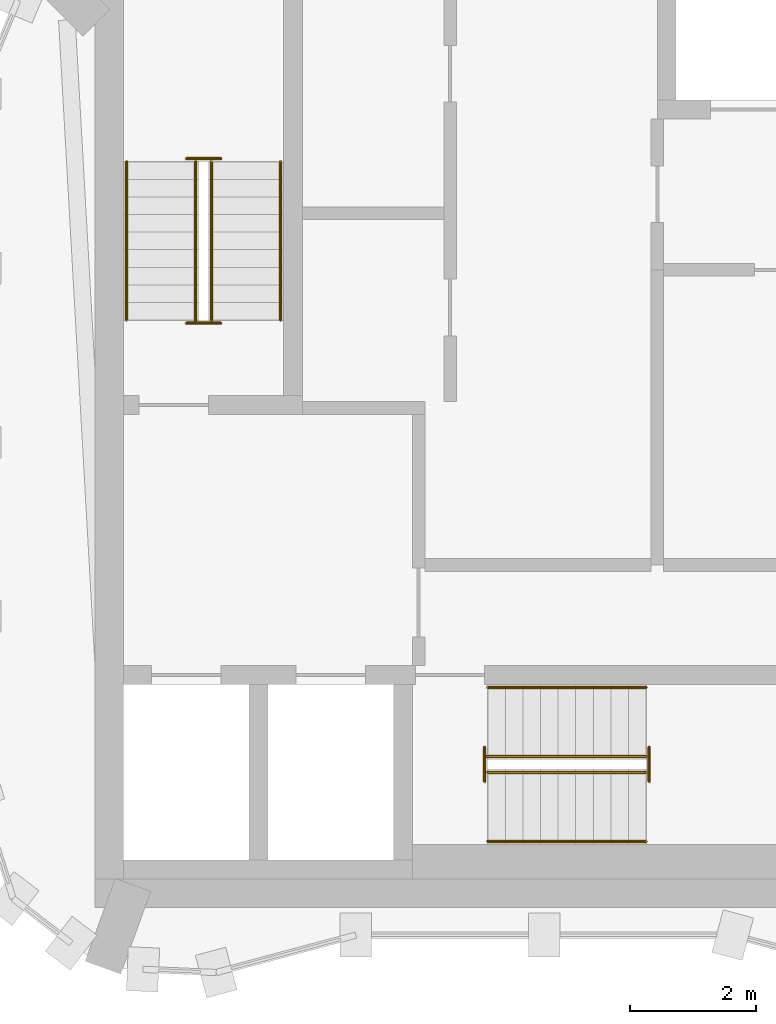
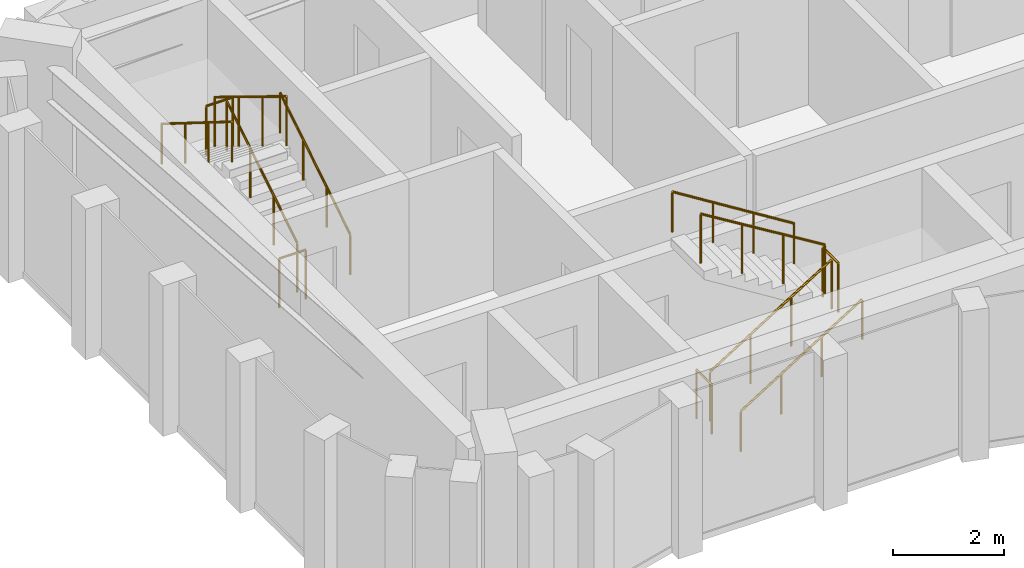
# One storey, part 6 of 6: 12 railings.
"""IFC4 building model written with IfcOpenShell, lengths in metres."""

from ifc_helpers import new_model, si_unit, direction, frame, origin, origin_2d, place, context, subcontext, project, spatial, circle, extrude, material, type_object, element, save


model = new_model("IFC4")

# Units and contexts
model_context = context("Model", 3, precision=1e-05, world=origin(), true_north=direction((0.0, 1.0)))
body_context = subcontext(model_context, "Body", "Model", "MODEL_VIEW")
ifc_project = project(units=[si_unit("LENGTHUNIT", "METRE"), si_unit("AREAUNIT", "SQUARE_METRE"), si_unit("VOLUMEUNIT", "CUBIC_METRE"), si_unit("PLANEANGLEUNIT", "RADIAN"), si_unit("MASSUNIT", "GRAM", prefix="KILO")], contexts=[model_context])

# Site, building, storey
site_placement = place(None, origin())
site = spatial("IfcSite", under=ifc_project, at=site_placement, CompositionType="ELEMENT")
building_placement = place(site_placement, origin())
building = spatial("IfcBuilding", under=site, at=building_placement, Name="Plateau Cross Towers", CompositionType="ELEMENT")
storey_placement = place(building_placement, frame((0.0, 0.0, 291.39990234375)))
storey = spatial("IfcBuildingStorey", under=building, at=storey_placement, Name="L77 Crown 1", CompositionType="ELEMENT", Elevation=291.39990234375)

# Railings
ifc_material_1 = material(Name="Stainless steel and toughened glass", Category="steel")
railing_type_1 = type_object("IfcRailingType", Name="RL-GUARD-1100", PredefinedType="GUARDRAIL", material=ifc_material_1)
railing_1_placement = place(storey_placement, frame((3.699951171875, 11.39990234375, 0.175048828125)))
element("IfcRailing", 1, at=railing_1_placement, inside=storey, type_object=railing_type_1, Name="L77 Crown 1 ST-1 stair guard 1", PredefinedType="GUARDRAIL", context=body_context, shape_type="SweptSolid", body=[
    extrude(circle(Radius=0.02392578125, at=origin_2d()), frame((0.0, 0.0, 1.076171875), z_axis=(0.0, 0.848007534815, 0.529984170421), x_axis=(-1.0, 0.0, 0.0)), (0.0, 0.0, 1.0), 2.9716796875),
    extrude(circle(Radius=0.02099609375, at=origin_2d()), origin(), (0.0, 0.0, 1.0), 1.052001953125),
    extrude(circle(Radius=0.02099609375, at=origin_2d()), frame((0.0, 0.840087890625, 0.52490234375)), (0.0, 0.0, 1.0), 1.052001953125),
    extrude(circle(Radius=0.02099609375, at=origin_2d()), frame((0.0, 1.679931640625, 1.050048828125)), (0.0, 0.0, 1.0), 1.052001953125),
    extrude(circle(Radius=0.02099609375, at=origin_2d()), frame((0.0, 2.52001953125, 1.574951171875)), (0.0, 0.0, 1.0), 1.052001953125),
])
railing_2_placement = place(storey_placement, frame((3.85009765625, 13.969970703125, 1.75)))
element("IfcRailing", 2, at=railing_2_placement, inside=storey, type_object=railing_type_1, Name="L77 Crown 1 ST-1 stair guard 2", PredefinedType="GUARDRAIL", context=body_context, shape_type="SweptSolid", body=[
    extrude(circle(Radius=0.02392578125, at=origin_2d()), frame((0.0, 0.0, 1.076171875), z_axis=(-1.0, 0.0, 0.0), x_axis=(0.0, -1.0, 0.0)), (0.0, 0.0, 1.0), 0.550048828125),
    extrude(circle(Radius=0.02099609375, at=origin_2d()), origin(), (0.0, 0.0, 1.0), 1.052001953125),
    extrude(circle(Radius=0.02099609375, at=origin_2d()), frame((-0.550048828125, 0.0, 0.0)), (0.0, 0.0, 1.0), 1.052001953125),
])
railing_3_placement = place(storey_placement, frame((3.449951171875, 13.919921875, 1.925048828125)))
element("IfcRailing", 3, at=railing_3_placement, inside=storey, type_object=railing_type_1, Name="L77 Crown 1 ST-1 stair guard 3", PredefinedType="GUARDRAIL", context=body_context, shape_type="SweptSolid", body=[
    extrude(circle(Radius=0.02392578125, at=origin_2d()), frame((0.0, 0.0, 1.076171875), z_axis=(0.0, -0.852616386126, 0.522537365276), x_axis=(1.0, 0.0, 0.0)), (0.0, 0.0, 1.0), 3.01416015625),
    extrude(circle(Radius=0.02099609375, at=origin_2d()), origin(), (0.0, 0.0, 1.0), 1.052001953125),
    extrude(circle(Radius=0.02099609375, at=origin_2d()), frame((0.0, -0.856689453125, 0.52490234375)), (0.0, 0.0, 1.0), 1.052001953125),
    extrude(circle(Radius=0.02099609375, at=origin_2d()), frame((0.0, -1.713134765625, 1.050048828125)), (0.0, 0.0, 1.0), 1.052001953125),
    extrude(circle(Radius=0.02099609375, at=origin_2d()), frame((0.0, -2.56982421875, 1.574951171875)), (0.0, 0.0, 1.0), 1.052001953125),
])
railing_4_placement = place(storey_placement, frame((3.85009765625, 11.35009765625, 0.0)))
element("IfcRailing", 4, at=railing_4_placement, inside=storey, type_object=railing_type_1, Name="L77 Crown 1 ST-1 stair guard 4", PredefinedType="GUARDRAIL", context=body_context, shape_type="SweptSolid", body=[
    extrude(circle(Radius=0.02392578125, at=origin_2d()), frame((0.0, 0.0, 1.076171875), z_axis=(-1.0, 0.0, 0.0), x_axis=(0.0, -1.0, 0.0)), (0.0, 0.0, 1.0), 0.550048828125),
    extrude(circle(Radius=0.02099609375, at=origin_2d()), origin(), (0.0, 0.0, 1.0), 1.052001953125),
    extrude(circle(Radius=0.02099609375, at=origin_2d()), frame((-0.550048828125, 0.0, 0.0)), (0.0, 0.0, 1.0), 1.052001953125),
])
railing_5_placement = place(storey_placement, frame((8.10009765625, 4.199951171875, 0.175048828125)))
element("IfcRailing", 5, at=railing_5_placement, inside=storey, type_object=railing_type_1, Name="L77 Crown 1 ST-2 stair guard 1", PredefinedType="GUARDRAIL", context=body_context, shape_type="SweptSolid", body=[
    extrude(circle(Radius=0.02392578125, at=origin_2d()), frame((0.0, 0.0, 1.076171875), z_axis=(0.848007534815, 0.0, 0.529984170421), x_axis=(0.0, 1.0, 0.0)), (0.0, 0.0, 1.0), 2.9716796875),
    extrude(circle(Radius=0.02099609375, at=origin_2d()), origin(), (0.0, 0.0, 1.0), 1.052001953125),
    extrude(circle(Radius=0.02099609375, at=origin_2d()), frame((0.840087890625, 0.0, 0.52490234375)), (0.0, 0.0, 1.0), 1.052001953125),
    extrude(circle(Radius=0.02099609375, at=origin_2d()), frame((1.679931640625, 0.0, 1.050048828125)), (0.0, 0.0, 1.0), 1.052001953125),
    extrude(circle(Radius=0.02099609375, at=origin_2d()), frame((2.52001953125, 0.0, 1.574951171875)), (0.0, 0.0, 1.0), 1.052001953125),
])
railing_6_placement = place(storey_placement, frame((10.669921875, 4.050048828125, 1.75)))
element("IfcRailing", 6, at=railing_6_placement, inside=storey, type_object=railing_type_1, Name="L77 Crown 1 ST-2 stair guard 2", PredefinedType="GUARDRAIL", context=body_context, shape_type="SweptSolid", body=[
    extrude(circle(Radius=0.02392578125, at=origin_2d()), frame((0.0, 0.0, 1.076171875), z_axis=(0.0, 1.0, 0.0), x_axis=(-1.0, 0.0, 0.0)), (0.0, 0.0, 1.0), 0.550048828125),
    extrude(circle(Radius=0.02099609375, at=origin_2d()), origin(), (0.0, 0.0, 1.0), 1.052001953125),
    extrude(circle(Radius=0.02099609375, at=origin_2d()), frame((0.0, 0.550048828125, 0.0)), (0.0, 0.0, 1.0), 1.052001953125),
])
railing_7_placement = place(storey_placement, frame((10.6201171875, 4.449951171875, 1.925048828125)))
element("IfcRailing", 7, at=railing_7_placement, inside=storey, type_object=railing_type_1, Name="L77 Crown 1 ST-2 stair guard 3", PredefinedType="GUARDRAIL", context=body_context, shape_type="SweptSolid", body=[
    extrude(circle(Radius=0.02392578125, at=origin_2d()), frame((0.0, 0.0, 1.076171875), z_axis=(-0.852638500773, 0.0, 0.522501279423), x_axis=(0.0, -1.0, 0.0)), (0.0, 0.0, 1.0), 3.01416015625),
    extrude(circle(Radius=0.02099609375, at=origin_2d()), origin(), (0.0, 0.0, 1.0), 1.052001953125),
    extrude(circle(Radius=0.02099609375, at=origin_2d()), frame((-0.856689453125, 0.0, 0.52490234375)), (0.0, 0.0, 1.0), 1.052001953125),
    extrude(circle(Radius=0.02099609375, at=origin_2d()), frame((-1.71337890625, 0.0, 1.050048828125)), (0.0, 0.0, 1.0), 1.052001953125),
    extrude(circle(Radius=0.02099609375, at=origin_2d()), frame((-2.570068359375, 0.0, 1.574951171875)), (0.0, 0.0, 1.0), 1.052001953125),
])
railing_8_placement = place(storey_placement, frame((8.050048828125, 4.050048828125, 0.0)))
element("IfcRailing", 8, at=railing_8_placement, inside=storey, type_object=railing_type_1, Name="L77 Crown 1 ST-2 stair guard 4", PredefinedType="GUARDRAIL", context=body_context, shape_type="SweptSolid", body=[
    extrude(circle(Radius=0.02392578125, at=origin_2d()), frame((0.0, 0.0, 1.076171875), z_axis=(0.0, 1.0, 0.0), x_axis=(-1.0, 0.0, 0.0)), (0.0, 0.0, 1.0), 0.550048828125),
    extrude(circle(Radius=0.02099609375, at=origin_2d()), origin(), (0.0, 0.0, 1.0), 1.052001953125),
    extrude(circle(Radius=0.02099609375, at=origin_2d()), frame((0.0, 0.550048828125, 0.0)), (0.0, 0.0, 1.0), 1.052001953125),
])
ifc_material_2 = material(Name="Black anodised aluminium", Category="aluminium")
railing_type_2 = type_object("IfcRailingType", Name="RL-HANDRAIL-900", PredefinedType="HANDRAIL", material=ifc_material_2)
railing_9_placement = place(storey_placement, frame((4.800048828125, 11.39990234375, 0.175048828125)))
element("IfcRailing", 9, at=railing_9_placement, inside=storey, type_object=railing_type_2, Name="L77 Crown 1 ST-1 stair handrail 1", PredefinedType="HANDRAIL", context=body_context, shape_type="SweptSolid", body=[
    extrude(circle(Radius=0.02392578125, at=origin_2d()), frame((0.0, 0.0, 0.8759765625), z_axis=(0.0, 0.848007534815, 0.529984170421), x_axis=(-1.0, 0.0, 0.0)), (0.0, 0.0, 1.0), 2.9716796875),
    extrude(circle(Radius=0.02099609375, at=origin_2d()), origin(), (0.0, 0.0, 1.0), 0.851806640625),
    extrude(circle(Radius=0.02099609375, at=origin_2d()), frame((0.0, 0.840087890625, 0.52490234375)), (0.0, 0.0, 1.0), 0.851806640625),
    extrude(circle(Radius=0.02099609375, at=origin_2d()), frame((0.0, 1.679931640625, 1.050048828125)), (0.0, 0.0, 1.0), 0.851806640625),
    extrude(circle(Radius=0.02099609375, at=origin_2d()), frame((0.0, 2.52001953125, 1.574951171875)), (0.0, 0.0, 1.0), 0.851806640625),
])
railing_10_placement = place(storey_placement, frame((2.35009765625, 13.919921875, 1.925048828125)))
element("IfcRailing", 10, at=railing_10_placement, inside=storey, type_object=railing_type_2, Name="L77 Crown 1 ST-1 stair handrail 2", PredefinedType="HANDRAIL", context=body_context, shape_type="SweptSolid", body=[
    extrude(circle(Radius=0.02392578125, at=origin_2d()), frame((0.0, 0.0, 0.8759765625), z_axis=(0.0, -0.848007534815, 0.529984170421), x_axis=(1.0, 0.0, 0.0)), (0.0, 0.0, 1.0), 2.9716796875),
    extrude(circle(Radius=0.02099609375, at=origin_2d()), origin(), (0.0, 0.0, 1.0), 0.851806640625),
    extrude(circle(Radius=0.02099609375, at=origin_2d()), frame((0.0, -0.840087890625, 0.52490234375)), (0.0, 0.0, 1.0), 0.851806640625),
    extrude(circle(Radius=0.02099609375, at=origin_2d()), frame((0.0, -1.679931640625, 1.050048828125)), (0.0, 0.0, 1.0), 0.851806640625),
    extrude(circle(Radius=0.02099609375, at=origin_2d()), frame((0.0, -2.52001953125, 1.574951171875)), (0.0, 0.0, 1.0), 0.851806640625),
])
railing_11_placement = place(storey_placement, frame((8.10009765625, 3.10009765625, 0.175048828125)))
element("IfcRailing", 11, at=railing_11_placement, inside=storey, type_object=railing_type_2, Name="L77 Crown 1 ST-2 stair handrail 1", PredefinedType="HANDRAIL", context=body_context, shape_type="SweptSolid", body=[
    extrude(circle(Radius=0.02392578125, at=origin_2d()), frame((0.0, 0.0, 0.8759765625), z_axis=(0.848007534815, 0.0, 0.529984170421), x_axis=(0.0, 1.0, 0.0)), (0.0, 0.0, 1.0), 2.9716796875),
    extrude(circle(Radius=0.02099609375, at=origin_2d()), origin(), (0.0, 0.0, 1.0), 0.851806640625),
    extrude(circle(Radius=0.02099609375, at=origin_2d()), frame((0.840087890625, 0.0, 0.52490234375)), (0.0, 0.0, 1.0), 0.851806640625),
    extrude(circle(Radius=0.02099609375, at=origin_2d()), frame((1.679931640625, 0.0, 1.050048828125)), (0.0, 0.0, 1.0), 0.851806640625),
    extrude(circle(Radius=0.02099609375, at=origin_2d()), frame((2.52001953125, 0.0, 1.574951171875)), (0.0, 0.0, 1.0), 0.851806640625),
])
railing_12_placement = place(storey_placement, frame((10.6201171875, 5.550048828125, 1.925048828125)))
element("IfcRailing", 12, at=railing_12_placement, inside=storey, type_object=railing_type_2, Name="L77 Crown 1 ST-2 stair handrail 2", PredefinedType="HANDRAIL", context=body_context, shape_type="SweptSolid", body=[
    extrude(circle(Radius=0.02392578125, at=origin_2d()), frame((0.0, 0.0, 0.8759765625), z_axis=(-0.848007534815, 0.0, 0.529984170421), x_axis=(0.0, -1.0, 0.0)), (0.0, 0.0, 1.0), 2.9716796875),
    extrude(circle(Radius=0.02099609375, at=origin_2d()), origin(), (0.0, 0.0, 1.0), 0.851806640625),
    extrude(circle(Radius=0.02099609375, at=origin_2d()), frame((-0.840087890625, 0.0, 0.52490234375)), (0.0, 0.0, 1.0), 0.851806640625),
    extrude(circle(Radius=0.02099609375, at=origin_2d()), frame((-1.679931640625, 0.0, 1.050048828125)), (0.0, 0.0, 1.0), 0.851806640625),
    extrude(circle(Radius=0.02099609375, at=origin_2d()), frame((-2.52001953125, 0.0, 1.574951171875)), (0.0, 0.0, 1.0), 0.851806640625),
])

save(model, "model.ifc")
